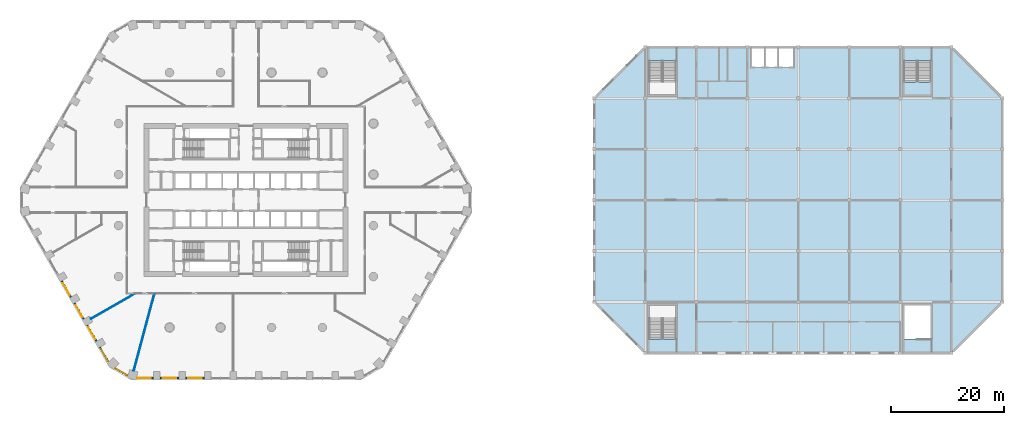
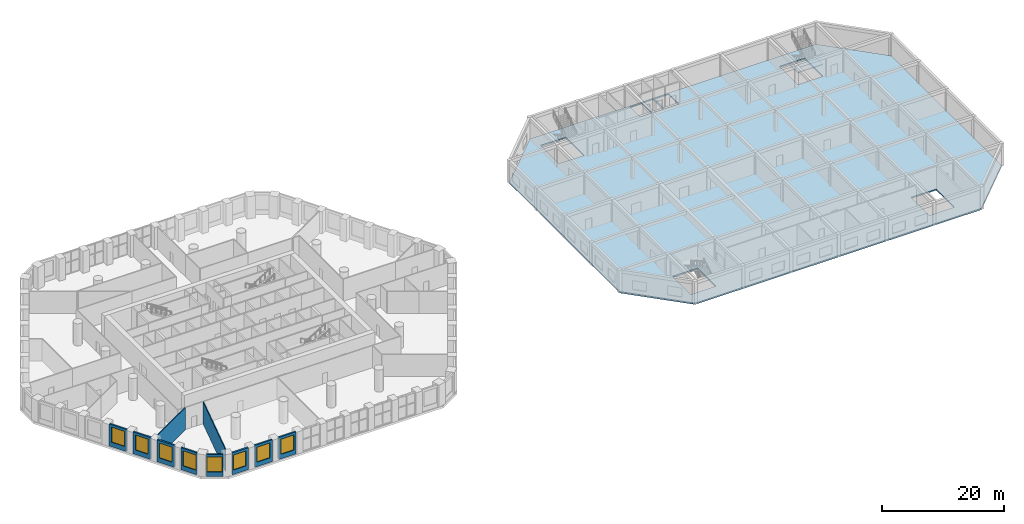
# One storey, part 6 of 26: 10 walls, 8 windows, 2 slabs, 8 openings, 1 element without a shape of its own.
"""IFC4 building model written with IfcOpenShell, lengths in metres."""

from ifc_helpers import new_model, si_unit, direction, frame, frame_2d, origin, place, context, subcontext, project, spatial, polyline, rectangle, outline, extrude, material, layer, layer_set, type_object, element, fill, aggregate, save


model = new_model("IFC4")

# Units and contexts
model_context = context("Model", 3, precision=1e-05, world=origin(), true_north=direction((0.0, 1.0)))
body_context = subcontext(model_context, "Body", "Model", "MODEL_VIEW")
ifc_project = project(units=[si_unit("LENGTHUNIT", "METRE"), si_unit("AREAUNIT", "SQUARE_METRE"), si_unit("VOLUMEUNIT", "CUBIC_METRE"), si_unit("PLANEANGLEUNIT", "RADIAN"), si_unit("MASSUNIT", "GRAM", prefix="KILO")], contexts=[model_context])

# Site, building, storey
site_placement = place(None, origin())
site = spatial("IfcSite", under=ifc_project, at=site_placement, CompositionType="ELEMENT")
building_placement = place(site_placement, origin())
building = spatial("IfcBuilding", under=site, at=building_placement, Name="Dhurran Vertical Campus", CompositionType="ELEMENT")
storey_placement = place(building_placement, frame((0.0, 0.0, 15.60009765625)))
storey = spatial("IfcBuildingStorey", under=building, at=storey_placement, Name="L03", CompositionType="ELEMENT", Elevation=15.60009765625)

# Slab
ifc_material_1 = material(Name="Concrete C40/50", Category="concrete")
ifc_layer_1 = layer(ifc_material_1, 0.280029296875)
ifc_layer_set_1 = layer_set([ifc_layer_1], Name="Concrete C40/50")
slab_type_1 = type_object("IfcSlabType", Name="hl-floor slab 280", PredefinedType="FLOOR", material=ifc_layer_set_1)
slab_1_placement = place(storey_placement, frame((0.0, 0.0, -0.280029296875)))
element("IfcSlab", 1, at=slab_1_placement, inside=storey, type_object=slab_type_1, Name="Hall L03 slab", PredefinedType="FLOOR", context=body_context, shape_type="SweptSolid", body=[
    extrude(outline(polyline([(61.5, -18.0), (70.5, -27.0), (124.5, -27.0), (133.5, -18.0), (133.5, 18.0), (124.5, 27.0), (70.5, 27.0), (61.5, 18.0), (61.5, -18.0)]), holes=[polyline([(71.14990234375, -24.5), (75.89990234375, -24.5), (75.89990234375, -18.550048828125), (71.14990234375, -18.550048828125), (71.14990234375, -24.5)]), polyline([(116.14990234375, 18.550048828125), (120.89990234375, 18.550048828125), (120.89990234375, 24.5), (116.14990234375, 24.5), (116.14990234375, 18.550048828125)]), polyline([(71.14990234375, 18.550048828125), (75.89990234375, 18.550048828125), (75.89990234375, 24.5), (71.14990234375, 24.5), (71.14990234375, 18.550048828125)]), polyline([(116.14990234375, -24.5), (120.89990234375, -24.5), (120.89990234375, -18.550048828125), (116.14990234375, -18.550048828125), (116.14990234375, -24.5)]), polyline([(89.300048828125, 23.5), (91.5, 23.5), (91.5, 26.85009765625), (89.300048828125, 26.85009765625), (89.300048828125, 23.5)]), polyline([(91.75, 23.5), (93.75, 23.5), (93.75, 26.85009765625), (91.75, 26.85009765625), (91.75, 23.5)]), polyline([(94.0, 23.5), (96.60009765625, 23.5), (96.60009765625, 26.85009765625), (94.0, 26.85009765625), (94.0, 23.5)])]), origin(), (0.0, 0.0, 1.0), 0.280029296875),
])

# Stair, slab
ifc_material_2 = material(Name="Concrete C40/50", Category="concrete")
stair_type = type_object("IfcStairType", Name="hl-exit stair dog-leg", PredefinedType="HALF_TURN_STAIR", material=ifc_material_2)
stair_placement = place(storey_placement, origin())
stair = element("IfcStair", 2, at=stair_placement, inside=storey, type_object=stair_type, Name="L03 Exit stair HST2", PredefinedType="HALF_TURN_STAIR")
ifc_material_3 = material(Name="Concrete C40/50", Category="concrete")
ifc_layer_2 = layer(ifc_material_3, 0.199951171875)
ifc_layer_set_2 = layer_set([ifc_layer_2], Name="Concrete C40/50")
slab_type_2 = type_object("IfcSlabType", Name="hl-stair landing 200", PredefinedType="LANDING", material=ifc_layer_set_2)
slab_2_placement = place(storey_placement, frame((0.0, 0.0, 2.199951171875)))
slab_2 = element("IfcSlab", 3, at=slab_2_placement, type_object=slab_type_2, Name="HST2 landing 1", PredefinedType="LANDING", context=body_context, shape_type="SweptSolid", body=[
    extrude(outline(polyline([(116.14990234375, 20.85791015625), (116.14990234375, 18.550048828125), (120.89990234375, 18.550048828125), (120.89990234375, 20.85791015625), (116.14990234375, 20.85791015625)])), origin(), (0.0, 0.0, 1.0), 0.199951171875),
])
aggregate(stair, [slab_2])

# Wall, opening, window
ifc_material_4 = material(Name="Precast concrete C50/60", Category="concrete")
ifc_layer_3 = layer(ifc_material_4, 0.300048828125)
ifc_layer_set_3 = layer_set([ifc_layer_3], Name="Precast concrete C50/60")
wall_type_1 = type_object("IfcWallType", Name="Precast spandrel wall 300", PredefinedType="SOLIDWALL", material=ifc_layer_set_3)
wall_1_placement = place(storey_placement, frame((-19.33935546875, -31.4296875, 0.0), z_axis=(0.0, 0.0, 1.0), x_axis=(1.0, 0.0, 0.0)))
wall_1 = element("IfcWall", 4, at=wall_1_placement, inside=storey, type_object=wall_type_1, Name="EW1 L03.00", PredefinedType="SOLIDWALL", context=body_context, shape_type="SweptSolid", body=[
    extrude(rectangle(XDim=2.98876953125, YDim=0.300048828125, at=frame_2d((1.494384765625, 0.0))), origin(), (0.0, 0.0, 1.0), 4.39990234375),
])
opening_1_placement = place(wall_1_placement, frame((0.139404296875, 0.0, 0.89990234375)))
opening_1 = element("IfcOpeningElement", 5, at=opening_1_placement, cuts=wall_1, Name="Opening WT2", PredefinedType="OPENING", context=body_context, shape_type="SweptSolid", body=[
    extrude(rectangle(XDim=2.39990234375, YDim=3.0, at=frame_2d((1.199951171875, 1.5))), frame((0.0, 0.159912109375, 0.0), z_axis=(0.0, -1.0, 0.0), x_axis=(1.0, 0.0, 0.0)), (0.0, 0.0, 1.0), 0.320068359375),
])
ifc_material_5 = material(Name="Aluminium frame with solar-control glass", Category="aluminium")
window_type = type_object("IfcWindowType", Name="Podium window 2400 x 3000", PartitioningType="SINGLE_PANEL", PredefinedType="WINDOW", material=ifc_material_5)
window_1_placement = place(opening_1_placement, origin())
window_1 = element("IfcWindow", 6, at=window_1_placement, inside=storey, type_object=window_type, Name="WT2 L03.00", OverallHeight=3.0, OverallWidth=2.39990234375, PartitioningType="SINGLE_PANEL", PredefinedType="WINDOW", context=body_context, shape_type="SweptSolid", body=[
    extrude(rectangle(XDim=2.39990234375, YDim=3.0, at=frame_2d((1.199951171875, 1.5))), frame((0.0, 0.030029296875, 0.0), z_axis=(0.0, -1.0, 0.0), x_axis=(1.0, 0.0, 0.0)), (0.0, 0.0, 1.0), 0.06005859375),
])
fill(opening_1, window_1)

wall_2_placement = place(storey_placement, frame((-15.1494140625, -31.4296875, 0.0), z_axis=(0.0, 0.0, 1.0), x_axis=(1.0, 0.0, 0.0)))
wall_2 = element("IfcWall", 7, at=wall_2_placement, inside=storey, type_object=wall_type_1, Name="EW1 L03.01", PredefinedType="SOLIDWALL", context=body_context, shape_type="SweptSolid", body=[
    extrude(rectangle(XDim=3.298828125, YDim=0.300048828125, at=frame_2d((1.6494140625, 0.0))), origin(), (0.0, 0.0, 1.0), 4.39990234375),
])
opening_2_placement = place(wall_2_placement, frame((0.449462890625, 0.0, 0.89990234375)))
opening_2 = element("IfcOpeningElement", 8, at=opening_2_placement, cuts=wall_2, Name="Opening WT2", PredefinedType="OPENING", context=body_context, shape_type="SweptSolid", body=[
    extrude(rectangle(XDim=2.39990234375, YDim=3.0, at=frame_2d((1.199951171875, 1.5))), frame((0.0, 0.159912109375, 0.0), z_axis=(0.0, -1.0, 0.0), x_axis=(1.0, 0.0, 0.0)), (0.0, 0.0, 1.0), 0.320068359375),
])
window_2_placement = place(opening_2_placement, origin())
window_2 = element("IfcWindow", 9, at=window_2_placement, inside=storey, type_object=window_type, Name="WT2 L03.01", OverallHeight=3.0, OverallWidth=2.39990234375, PartitioningType="SINGLE_PANEL", PredefinedType="WINDOW", context=body_context, shape_type="SweptSolid", body=[
    extrude(rectangle(XDim=2.39990234375, YDim=3.0, at=frame_2d((1.199951171875, 1.5))), frame((0.0, 0.030029296875, 0.0), z_axis=(0.0, -1.0, 0.0), x_axis=(1.0, 0.0, 0.0)), (0.0, 0.0, 1.0), 0.06005859375),
])
fill(opening_2, window_2)

wall_3_placement = place(storey_placement, frame((-10.6494140625, -31.4296875, 0.0), z_axis=(0.0, 0.0, 1.0), x_axis=(1.0, 0.0, 0.0)))
wall_3 = element("IfcWall", 10, at=wall_3_placement, inside=storey, type_object=wall_type_1, Name="EW1 L03.02", PredefinedType="SOLIDWALL", context=body_context, shape_type="SweptSolid", body=[
    extrude(rectangle(XDim=3.298828125, YDim=0.300048828125, at=frame_2d((1.6494140625, 0.0))), origin(), (0.0, 0.0, 1.0), 4.39990234375),
])
opening_3_placement = place(wall_3_placement, frame((0.449462890625, 0.0, 0.89990234375)))
opening_3 = element("IfcOpeningElement", 11, at=opening_3_placement, cuts=wall_3, Name="Opening WT2", PredefinedType="OPENING", context=body_context, shape_type="SweptSolid", body=[
    extrude(rectangle(XDim=2.39990234375, YDim=3.0, at=frame_2d((1.199951171875, 1.5))), frame((0.0, 0.159912109375, 0.0), z_axis=(0.0, -1.0, 0.0), x_axis=(1.0, 0.0, 0.0)), (0.0, 0.0, 1.0), 0.320068359375),
])
window_3_placement = place(opening_3_placement, origin())
window_3 = element("IfcWindow", 12, at=window_3_placement, inside=storey, type_object=window_type, Name="WT2 L03.02", OverallHeight=3.0, OverallWidth=2.39990234375, PartitioningType="SINGLE_PANEL", PredefinedType="WINDOW", context=body_context, shape_type="SweptSolid", body=[
    extrude(rectangle(XDim=2.39990234375, YDim=3.0, at=frame_2d((1.199951171875, 1.5))), frame((0.0, 0.030029296875, 0.0), z_axis=(0.0, -1.0, 0.0), x_axis=(1.0, 0.0, 0.0)), (0.0, 0.0, 1.0), 0.06005859375),
])
fill(opening_3, window_3)

wall_4_placement = place(storey_placement, frame((-32.543701171875, -14.286376953125, 0.0), z_axis=(0.0, 0.0, 1.0), x_axis=(0.499991515992, -0.866030301974, 0.0)))
wall_4 = element("IfcWall", 13, at=wall_4_placement, inside=storey, type_object=wall_type_1, Name="EW1 L03.47", PredefinedType="SOLIDWALL", context=body_context, shape_type="SweptSolid", body=[
    extrude(rectangle(XDim=3.298828125, YDim=0.300048828125, at=frame_2d((1.6494140625, 0.0))), origin(), (0.0, 0.0, 1.0), 4.39990234375),
])
opening_4_placement = place(wall_4_placement, frame((0.449462890625, 0.0, 0.89990234375)))
opening_4 = element("IfcOpeningElement", 14, at=opening_4_placement, cuts=wall_4, Name="Opening WT2", PredefinedType="OPENING", context=body_context, shape_type="SweptSolid", body=[
    extrude(rectangle(XDim=2.39990234375, YDim=3.0, at=frame_2d((1.199951171875, 1.5))), frame((0.0, 0.159912109375, 0.0), z_axis=(0.0, -1.0, 0.0), x_axis=(1.0, 0.0, 0.0)), (0.0, 0.0, 1.0), 0.320068359375),
])
window_4_placement = place(opening_4_placement, origin())
window_4 = element("IfcWindow", 15, at=window_4_placement, inside=storey, type_object=window_type, Name="WT2 L03.47", OverallHeight=3.0, OverallWidth=2.39990234375, PartitioningType="SINGLE_PANEL", PredefinedType="WINDOW", context=body_context, shape_type="SweptSolid", body=[
    extrude(rectangle(XDim=2.39990234375, YDim=3.0, at=frame_2d((1.199951171875, 1.5))), frame((0.0, 0.030029296875, 0.0), z_axis=(0.0, -1.0, 0.0), x_axis=(1.0, 0.0, 0.0)), (0.0, 0.0, 1.0), 0.06005859375),
])
fill(opening_4, window_4)

wall_5_placement = place(storey_placement, frame((-30.293701171875, -18.18359375, 0.0), z_axis=(0.0, 0.0, 1.0), x_axis=(0.499991515992, -0.866030301974, 0.0)))
wall_5 = element("IfcWall", 16, at=wall_5_placement, inside=storey, type_object=wall_type_1, Name="EW1 L03.48", PredefinedType="SOLIDWALL", context=body_context, shape_type="SweptSolid", body=[
    extrude(rectangle(XDim=3.298828125, YDim=0.300048828125, at=frame_2d((1.6494140625, 0.0))), origin(), (0.0, 0.0, 1.0), 4.39990234375),
])
opening_5_placement = place(wall_5_placement, frame((0.449462890625, 0.0, 0.89990234375)))
opening_5 = element("IfcOpeningElement", 17, at=opening_5_placement, cuts=wall_5, Name="Opening WT2", PredefinedType="OPENING", context=body_context, shape_type="SweptSolid", body=[
    extrude(rectangle(XDim=2.39990234375, YDim=3.0, at=frame_2d((1.199951171875, 1.5))), frame((0.0, 0.159912109375, 0.0), z_axis=(0.0, -1.0, 0.0), x_axis=(1.0, 0.0, 0.0)), (0.0, 0.0, 1.0), 0.320068359375),
])
window_5_placement = place(opening_5_placement, origin())
window_5 = element("IfcWindow", 18, at=window_5_placement, inside=storey, type_object=window_type, Name="WT2 L03.48", OverallHeight=3.0, OverallWidth=2.39990234375, PartitioningType="SINGLE_PANEL", PredefinedType="WINDOW", context=body_context, shape_type="SweptSolid", body=[
    extrude(rectangle(XDim=2.39990234375, YDim=3.0, at=frame_2d((1.199951171875, 1.5))), frame((0.0, 0.030029296875, 0.0), z_axis=(0.0, -1.0, 0.0), x_axis=(1.0, 0.0, 0.0)), (0.0, 0.0, 1.0), 0.06005859375),
])
fill(opening_5, window_5)

wall_6_placement = place(storey_placement, frame((-28.043701171875, -22.08056640625, 0.0), z_axis=(0.0, 0.0, 1.0), x_axis=(0.499991515992, -0.866030301974, 0.0)))
wall_6 = element("IfcWall", 19, at=wall_6_placement, inside=storey, type_object=wall_type_1, Name="EW1 L03.49", PredefinedType="SOLIDWALL", context=body_context, shape_type="SweptSolid", body=[
    extrude(rectangle(XDim=3.298828125, YDim=0.300048828125, at=frame_2d((1.6494140625, 0.0))), origin(), (0.0, 0.0, 1.0), 4.39990234375),
])
opening_6_placement = place(wall_6_placement, frame((0.449462890625, 0.0, 0.89990234375)))
opening_6 = element("IfcOpeningElement", 20, at=opening_6_placement, cuts=wall_6, Name="Opening WT2", PredefinedType="OPENING", context=body_context, shape_type="SweptSolid", body=[
    extrude(rectangle(XDim=2.39990234375, YDim=3.0, at=frame_2d((1.199951171875, 1.5))), frame((0.0, 0.159912109375, 0.0), z_axis=(0.0, -1.0, 0.0), x_axis=(1.0, 0.0, 0.0)), (0.0, 0.0, 1.0), 0.320068359375),
])
window_6_placement = place(opening_6_placement, origin())
window_6 = element("IfcWindow", 21, at=window_6_placement, inside=storey, type_object=window_type, Name="WT2 L03.49", OverallHeight=3.0, OverallWidth=2.39990234375, PartitioningType="SINGLE_PANEL", PredefinedType="WINDOW", context=body_context, shape_type="SweptSolid", body=[
    extrude(rectangle(XDim=2.39990234375, YDim=3.0, at=frame_2d((1.199951171875, 1.5))), frame((0.0, 0.030029296875, 0.0), z_axis=(0.0, -1.0, 0.0), x_axis=(1.0, 0.0, 0.0)), (0.0, 0.0, 1.0), 0.06005859375),
])
fill(opening_6, window_6)

wall_7_placement = place(storey_placement, frame((-25.793701171875, -25.977783203125, 0.0), z_axis=(0.0, 0.0, 1.0), x_axis=(0.49999586137, -0.866027793211, 0.0)))
wall_7 = element("IfcWall", 22, at=wall_7_placement, inside=storey, type_object=wall_type_1, Name="EW1 L03.50", PredefinedType="SOLIDWALL", context=body_context, shape_type="SweptSolid", body=[
    extrude(rectangle(XDim=2.98876953125, YDim=0.300048828125, at=frame_2d((1.494384765625, 0.0))), origin(), (0.0, 0.0, 1.0), 4.39990234375),
])
opening_7_placement = place(wall_7_placement, frame((0.449462890625, 0.0, 0.89990234375)))
opening_7 = element("IfcOpeningElement", 23, at=opening_7_placement, cuts=wall_7, Name="Opening WT2", PredefinedType="OPENING", context=body_context, shape_type="SweptSolid", body=[
    extrude(rectangle(XDim=2.39990234375, YDim=3.0, at=frame_2d((1.199951171875, 1.5))), frame((0.0, 0.159912109375, 0.0), z_axis=(0.0, -1.0, 0.0), x_axis=(1.0, 0.0, 0.0)), (0.0, 0.0, 1.0), 0.320068359375),
])
window_7_placement = place(opening_7_placement, origin())
window_7 = element("IfcWindow", 24, at=window_7_placement, inside=storey, type_object=window_type, Name="WT2 L03.50", OverallHeight=3.0, OverallWidth=2.39990234375, PartitioningType="SINGLE_PANEL", PredefinedType="WINDOW", context=body_context, shape_type="SweptSolid", body=[
    extrude(rectangle(XDim=2.39990234375, YDim=3.0, at=frame_2d((1.199951171875, 1.5))), frame((0.0, 0.030029296875, 0.0), z_axis=(0.0, -1.0, 0.0), x_axis=(1.0, 0.0, 0.0)), (0.0, 0.0, 1.0), 0.06005859375),
])
fill(opening_7, window_7)

wall_8_placement = place(storey_placement, frame((-23.183349609375, -29.681884765625, 0.0), z_axis=(0.0, 0.0, 1.0), x_axis=(0.866001915448, -0.500040680786, 0.0)))
wall_8 = element("IfcWall", 25, at=wall_8_placement, inside=storey, type_object=wall_type_1, Name="EW1 L03.51", PredefinedType="SOLIDWALL", context=body_context, shape_type="SweptSolid", body=[
    extrude(rectangle(XDim=2.678466796875, YDim=0.300048828125, at=frame_2d((1.33935546875, 0.0))), origin(), (0.0, 0.0, 1.0), 4.39990234375),
])
opening_8_placement = place(wall_8_placement, frame((0.139404296875, 0.0, 0.89990234375)))
opening_8 = element("IfcOpeningElement", 26, at=opening_8_placement, cuts=wall_8, Name="Opening WT2", PredefinedType="OPENING", context=body_context, shape_type="SweptSolid", body=[
    extrude(rectangle(XDim=2.39990234375, YDim=3.0, at=frame_2d((1.199951171875, 1.5))), frame((0.0, 0.159912109375, 0.0), z_axis=(0.0, -1.0, 0.0), x_axis=(1.0, 0.0, 0.0)), (0.0, 0.0, 1.0), 0.320068359375),
])
window_8_placement = place(opening_8_placement, origin())
window_8 = element("IfcWindow", 27, at=window_8_placement, inside=storey, type_object=window_type, Name="WT2 L03.51", OverallHeight=3.0, OverallWidth=2.39990234375, PartitioningType="SINGLE_PANEL", PredefinedType="WINDOW", context=body_context, shape_type="SweptSolid", body=[
    extrude(rectangle(XDim=2.39990234375, YDim=3.0, at=frame_2d((1.199951171875, 1.5))), frame((0.0, 0.030029296875, 0.0), z_axis=(0.0, -1.0, 0.0), x_axis=(1.0, 0.0, 0.0)), (0.0, 0.0, 1.0), 0.06005859375),
])
fill(opening_8, window_8)

# Walls
ifc_material_6 = material(Name="Gypsum board partition on steel studs", Category="steel")
ifc_layer_4 = layer(ifc_material_6, 0.14990234375)
ifc_layer_set_4 = layer_set([ifc_layer_4], Name="Gypsum board partition on steel studs")
wall_type_2 = type_object("IfcWallType", Name="fl-PW-150 fixed partition", PredefinedType="PARTITIONING", material=ifc_layer_set_4)
wall_9_placement = place(storey_placement, frame((-19.643798828125, -16.53759765625, 0.0), z_axis=(0.0, 0.0, 1.0), x_axis=(-0.866000072607, -0.50004387232, 0.0)))
element("IfcWall", 28, at=wall_9_placement, inside=storey, type_object=wall_type_2, Name="Partition 03-10", PredefinedType="PARTITIONING", context=body_context, shape_type="SweptSolid", body=[
    extrude(rectangle(XDim=8.876220703125, YDim=0.14990234375, at=frame_2d((4.43798828125, 0.0))), origin(), (0.0, 0.0, 1.0), 4.39990234375),
])
wall_10_placement = place(storey_placement, frame((-16.17529296875, -16.572509765625, 0.0), z_axis=(0.0, 0.0, 1.0), x_axis=(-0.258838193525, -0.965920695281, 0.0)))
element("IfcWall", 29, at=wall_10_placement, inside=storey, type_object=wall_type_2, Name="Partition 03-18", PredefinedType="PARTITIONING", context=body_context, shape_type="SweptSolid", body=[
    extrude(rectangle(XDim=14.022705078125, YDim=0.14990234375, at=frame_2d((7.01123046875, 0.0))), origin(), (0.0, 0.0, 1.0), 4.39990234375),
])

save(model, "model.ifc")
